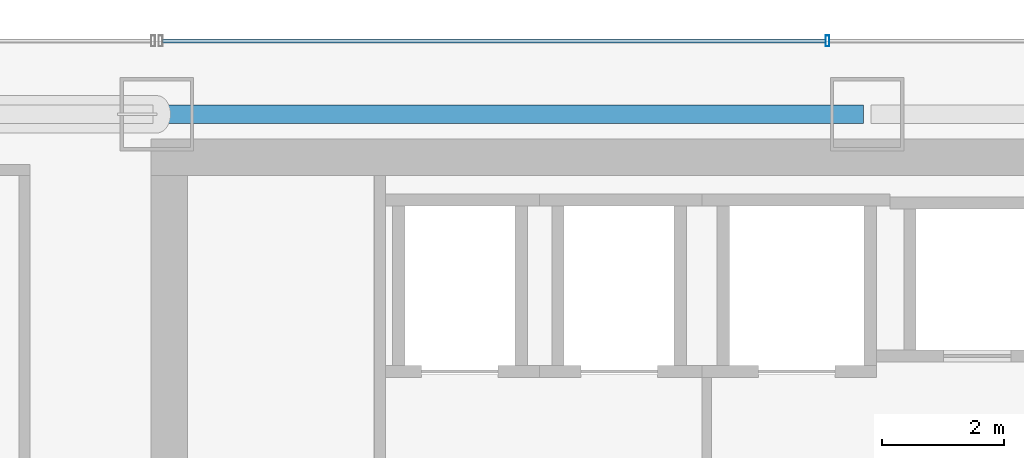
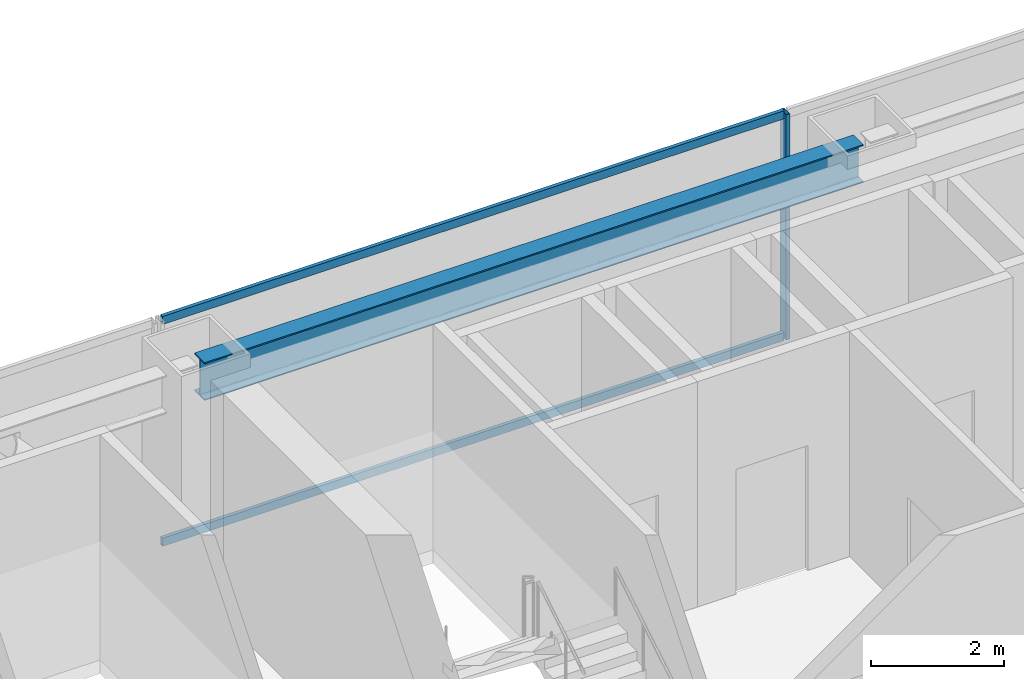
# One storey, part 27 of 47: 3 members, 1 beam, 1 element without a shape of its own.
"""IFC4 building model written with IfcOpenShell, lengths in metres."""

from ifc_helpers import new_model, si_unit, direction, frame, origin, origin_2d, place, context, subcontext, project, spatial, hollow_rectangle, i_section, extrude, material, material_profile, profile_set, type_object, element, aggregate, save


model = new_model("IFC4")

# Units and contexts
model_context = context("Model", 3, precision=1e-05, world=origin(), true_north=direction((0.0, 1.0)))
body_context = subcontext(model_context, "Body", "Model", "MODEL_VIEW")
ifc_project = project(units=[si_unit("LENGTHUNIT", "METRE"), si_unit("AREAUNIT", "SQUARE_METRE"), si_unit("VOLUMEUNIT", "CUBIC_METRE"), si_unit("PLANEANGLEUNIT", "RADIAN"), si_unit("MASSUNIT", "GRAM", prefix="KILO")], contexts=[model_context])

# Site, building, storey
site_placement = place(None, origin())
site = spatial("IfcSite", under=ifc_project, at=site_placement, CompositionType="ELEMENT")
building_placement = place(site_placement, origin())
building = spatial("IfcBuilding", under=site, at=building_placement, Name="Saevonmaru Cultural Tower", CompositionType="ELEMENT")
storey_placement = place(building_placement, frame((0.0, 0.0, 56.0)))
storey = spatial("IfcBuildingStorey", under=building, at=storey_placement, Name="L11", CompositionType="ELEMENT", Elevation=56.0)

# Beam
ifc_material_1 = material(Name="Steel SM355", Category="steel")
ifc_material_profile_1 = material_profile(ifc_material_1, i_section(OverallWidth=0.300048828125, OverallDepth=0.699951171875, WebThickness=0.012939453125, FlangeThickness=0.02392578125, FilletRadius=0.02587890625, at=origin_2d()), Name="H-700x300x13x24")
ifc_profile_set_1 = profile_set([ifc_material_profile_1], Name="Steel SM355")
beam_type = type_object("IfcBeamType", Name="BM-SP-H700", PredefinedType="SPANDREL", material=ifc_profile_set_1)
beam_placement = place(storey_placement, frame((13.659912109375, 54.800048828125, 3.800048828125), z_axis=(1.0, 0.0, 0.0), x_axis=(0.0, 1.0, 0.0)))
element("IfcBeam", 1, at=beam_placement, inside=storey, type_object=beam_type, Name="L11 North Spine Girder 2", PredefinedType="SPANDREL", context=body_context, shape_type="SweptSolid", body=[
    extrude(i_section(OverallWidth=0.300048828125, OverallDepth=0.699951171875, WebThickness=0.012939453125, FlangeThickness=0.02392578125, FilletRadius=0.02587890625, at=origin_2d()), origin(), (0.0, 0.0, 1.0), 11.47998046875),
])

# Curtain wall, members
ifc_material_2 = material(Name="Satin Bronze Anodised Aluminium", Category="aluminium")
curtain_wall_type = type_object("IfcCurtainWallType", Name="CW-TYP-A", PredefinedType="NOTDEFINED", material=ifc_material_2)
curtain_wall_placement = place(storey_placement, origin())
curtain_wall = element("IfcCurtainWall", 2, at=curtain_wall_placement, inside=storey, type_object=curtain_wall_type, Name="L11 North Spine Unitised Curtain Wall E10B", PredefinedType="NOTDEFINED")
ifc_material_profile_2 = material_profile(ifc_material_2, hollow_rectangle(XDim=0.06494140625, YDim=0.179931640625, WallThickness=0.00390625, at=origin_2d()), Name="ALU-MULL-180x65x4")
ifc_profile_set_2 = profile_set([ifc_material_profile_2], Name="Satin Bronze Anodised Aluminium")
member_type_1 = type_object("IfcMemberType", Name="ML-CW-180x65", PredefinedType="MULLION", material=ifc_profile_set_2)
member_1_placement = place(storey_placement, frame((24.55322265625, 56.0, 0.0), z_axis=(0.0, 0.0, 1.0), x_axis=(-1.0, 0.0, 0.0)))
member_1 = element("IfcMember", 3, at=member_1_placement, type_object=member_type_1, Name="CW-TW-L11-E10B mullion 3", PredefinedType="MULLION", context=body_context, shape_type="SweptSolid", body=[
    extrude(hollow_rectangle(XDim=0.06494140625, YDim=0.179931640625, WallThickness=0.00390625, at=origin_2d()), origin(), (0.0, 0.0, 1.0), 4.14990234375),
])
ifc_material_profile_3 = material_profile(ifc_material_2, hollow_rectangle(XDim=0.06494140625, YDim=0.14990234375, WallThickness=0.00390625, at=origin_2d()), Name="ALU-TRAN-150x65x4")
ifc_profile_set_3 = profile_set([ifc_material_profile_3], Name="Satin Bronze Anodised Aluminium")
member_type_2 = type_object("IfcMemberType", Name="TR-CW-150x65", PredefinedType="USERDEFINED", material=ifc_profile_set_3)
member_2_placement = place(storey_placement, frame((24.520751953125, 56.0, 0.032470703125), z_axis=(-1.0, 0.0, 0.0), x_axis=(0.0, -1.0, 0.0)))
member_2 = element("IfcMember", 4, at=member_2_placement, type_object=member_type_2, Name="CW-TW-L11-E10B transom 3.1", ObjectType="TRANSOM", PredefinedType="USERDEFINED", context=body_context, shape_type="SweptSolid", body=[
    extrude(hollow_rectangle(XDim=0.06494140625, YDim=0.14990234375, WallThickness=0.00390625, at=origin_2d()), origin(), (0.0, 0.0, 1.0), 10.828369140625),
])
member_3_placement = place(storey_placement, frame((24.520751953125, 56.0, 4.117431640625), z_axis=(-1.0, 0.0, 0.0), x_axis=(0.0, -1.0, 0.0)))
member_3 = element("IfcMember", 5, at=member_3_placement, type_object=member_type_2, Name="CW-TW-L11-E10B transom 3.2", ObjectType="TRANSOM", PredefinedType="USERDEFINED", context=body_context, shape_type="SweptSolid", body=[
    extrude(hollow_rectangle(XDim=0.06494140625, YDim=0.14990234375, WallThickness=0.00390625, at=origin_2d()), origin(), (0.0, 0.0, 1.0), 10.828369140625),
])
aggregate(curtain_wall, [member_1, member_2, member_3])

save(model, "model.ifc")
